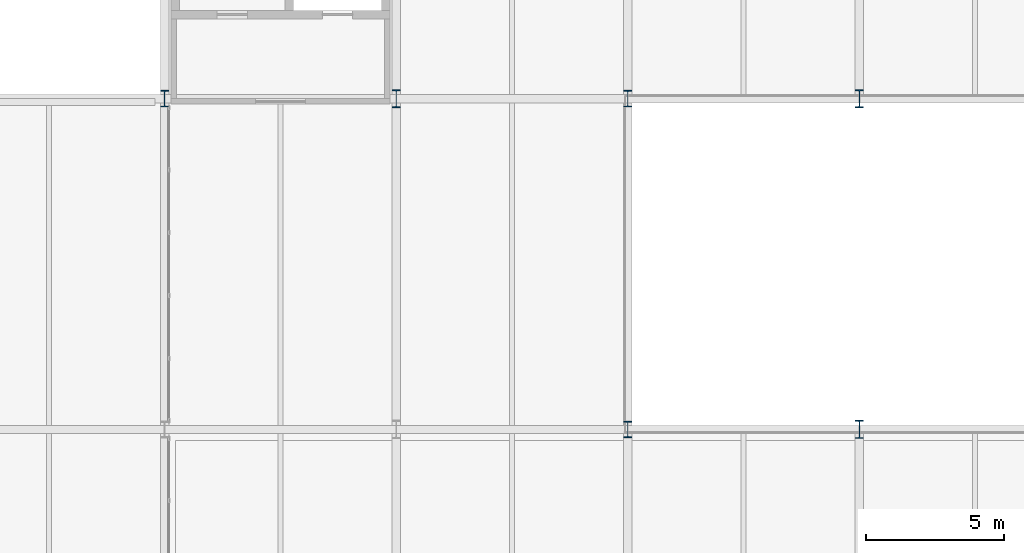
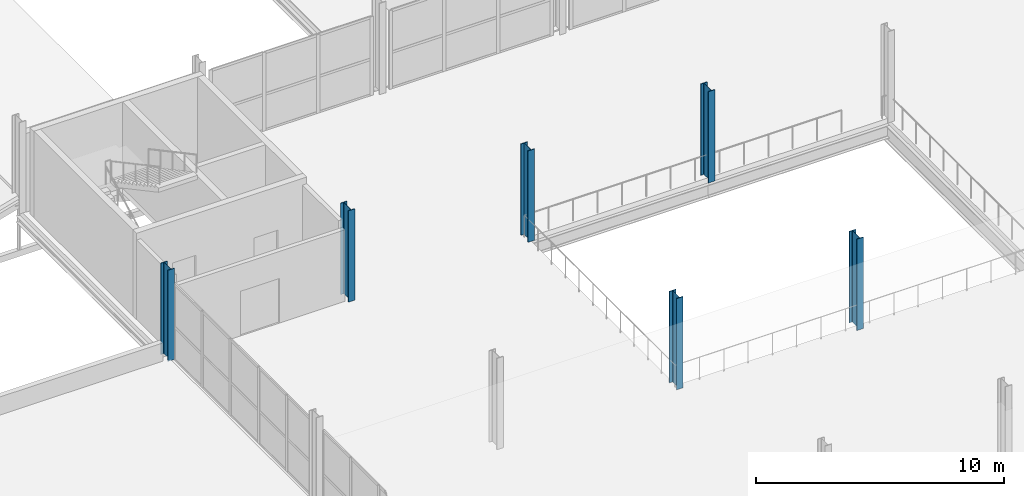
# One storey, part 3 of 130: 6 columns.
"""IFC4 building model written with IfcOpenShell, lengths in metres."""

from ifc_helpers import new_model, si_unit, direction, frame, origin, origin_2d, place, context, subcontext, project, spatial, i_section, extrude, material, material_profile, profile_set, type_object, element, save


model = new_model("IFC4")

# Units and contexts
model_context = context("Model", 3, precision=1e-05, world=origin(), true_north=direction((0.0, 1.0)))
body_context = subcontext(model_context, "Body", "Model", "MODEL_VIEW")
ifc_project = project(units=[si_unit("LENGTHUNIT", "METRE"), si_unit("AREAUNIT", "SQUARE_METRE"), si_unit("VOLUMEUNIT", "CUBIC_METRE"), si_unit("PLANEANGLEUNIT", "RADIAN"), si_unit("MASSUNIT", "GRAM", prefix="KILO")], contexts=[model_context])

# Site, building, storey
site_placement = place(None, origin())
site = spatial("IfcSite", under=ifc_project, at=site_placement, CompositionType="ELEMENT")
building_placement = place(site_placement, origin())
building = spatial("IfcBuilding", under=site, at=building_placement, Name="Veltarok Museum of Natural Sciences", CompositionType="ELEMENT")
storey_placement = place(building_placement, frame((0.0, 0.0, 12.89990234375)))
storey = spatial("IfcBuildingStorey", under=building, at=storey_placement, Name="L02", CompositionType="ELEMENT", Elevation=12.89990234375)

# Columns
ifc_material = material(Name="Steel S355J2", Category="steel")
ifc_material_profile_1 = material_profile(ifc_material, i_section(OverallWidth=0.300048828125, OverallDepth=0.60009765625, WebThickness=0.015380859375, FlangeThickness=0.030029296875, FilletRadius=0.027099609375, at=origin_2d()), Name="HEB 600")
ifc_profile_set_1 = profile_set([ifc_material_profile_1], Name="Steel S355J2")
column_type_1 = type_object("IfcColumnType", Name="Gallery Frame Column HEB 600", PredefinedType="COLUMN", material=ifc_profile_set_1)
for number, where, z_axis, x_axis, name in (
    (1, (56.800048828125, 48.0, 0.0), (0.0, 0.0, 1.0), (1.0, 0.0, 0.0), "Column COL-S04 L02 7/F"),
    (2, (56.800048828125, 60.0, 0.0), (0.0, 0.0, 1.0), (1.0, 0.0, 0.0), "Column COL-S04 L02 7/G"),
):
    element("IfcColumn", number, at=place(storey_placement, frame(where, z_axis=z_axis, x_axis=x_axis)), inside=storey, type_object=column_type_1, Name=name, PredefinedType="COLUMN", context=body_context, shape_type="SweptSolid", body=[
        extrude(i_section(OverallWidth=0.300048828125, OverallDepth=0.60009765625, WebThickness=0.015380859375, FlangeThickness=0.030029296875, FilletRadius=0.027099609375, at=origin_2d()), origin(), (0.0, 0.0, 1.0), 4.5),
    ])
ifc_material_profile_2 = material_profile(ifc_material, i_section(OverallWidth=0.300048828125, OverallDepth=0.64990234375, WebThickness=0.01611328125, FlangeThickness=0.031005859375, FilletRadius=0.027099609375, at=origin_2d()), Name="HEB 650")
ifc_profile_set_2 = profile_set([ifc_material_profile_2], Name="Steel S355J2")
column_type_2 = type_object("IfcColumnType", Name="Heavy Spine Column HEB 650", PredefinedType="COLUMN", material=ifc_profile_set_2)
for number, where, z_axis, x_axis, name in (
    (3, (48.39990234375, 60.0, 0.0), (0.0, 0.0, 1.0), (1.0, 0.0, 0.0), "Column COL-S09 L02 6/G"),
    (4, (65.199951171875, 48.0, 0.0), (0.0, 0.0, 1.0), (1.0, 0.0, 0.0), "Column COL-S09 L02 8/F"),
    (5, (65.199951171875, 60.0, 0.0), (0.0, 0.0, 1.0), (1.0, 0.0, 0.0), "Column COL-S09 L02 8/G"),
):
    element("IfcColumn", number, at=place(storey_placement, frame(where, z_axis=z_axis, x_axis=x_axis)), inside=storey, type_object=column_type_2, Name=name, PredefinedType="COLUMN", context=body_context, shape_type="SweptSolid", body=[
        extrude(i_section(OverallWidth=0.300048828125, OverallDepth=0.64990234375, WebThickness=0.01611328125, FlangeThickness=0.031005859375, FilletRadius=0.027099609375, at=origin_2d()), origin(), (0.0, 0.0, 1.0), 4.5),
    ])
ifc_material_profile_3 = material_profile(ifc_material, i_section(OverallWidth=0.300048828125, OverallDepth=0.60009765625, WebThickness=0.015380859375, FlangeThickness=0.030029296875, FilletRadius=0.027099609375, at=origin_2d()), Name="HEB 600")
ifc_profile_set_3 = profile_set([ifc_material_profile_3], Name="Steel S355J2")
column_type_3 = type_object("IfcColumnType", Name="Perimeter Passage Column HEB 600", PredefinedType="COLUMN", material=ifc_profile_set_3)
column_placement = place(storey_placement, frame((40.0, 60.0, 0.0), z_axis=(0.0, 0.0, 1.0), x_axis=(1.0, 0.0, 0.0)))
element("IfcColumn", 6, at=column_placement, inside=storey, type_object=column_type_3, Name="Column COL-EXT02 L02 5/G", PredefinedType="COLUMN", context=body_context, shape_type="SweptSolid", body=[
    extrude(i_section(OverallWidth=0.300048828125, OverallDepth=0.60009765625, WebThickness=0.015380859375, FlangeThickness=0.030029296875, FilletRadius=0.027099609375, at=origin_2d()), origin(), (0.0, 0.0, 1.0), 4.5),
])

save(model, "model.ifc")
